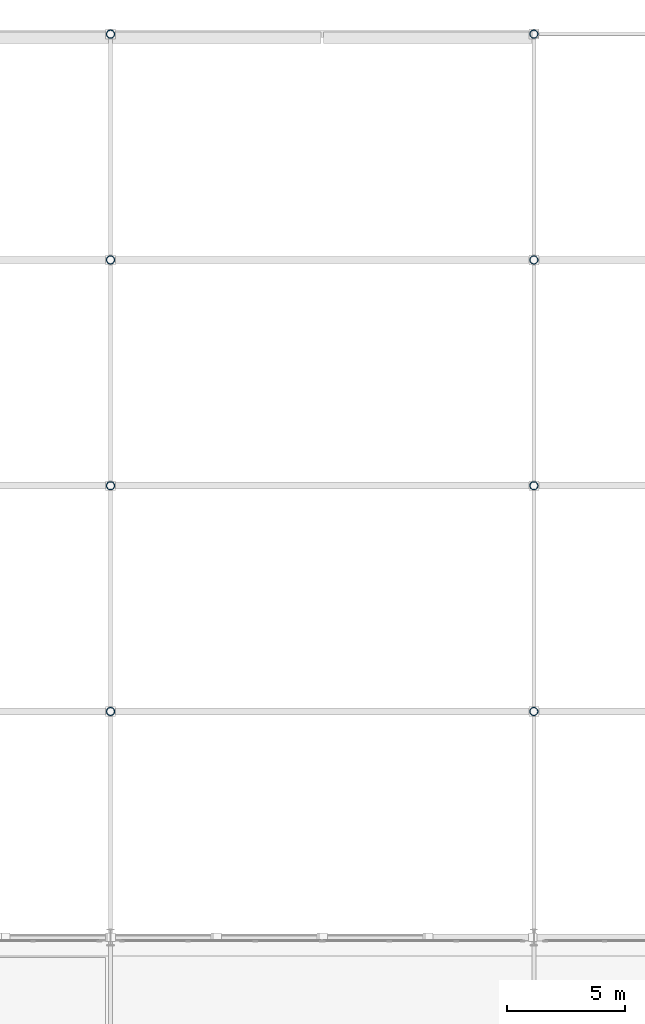
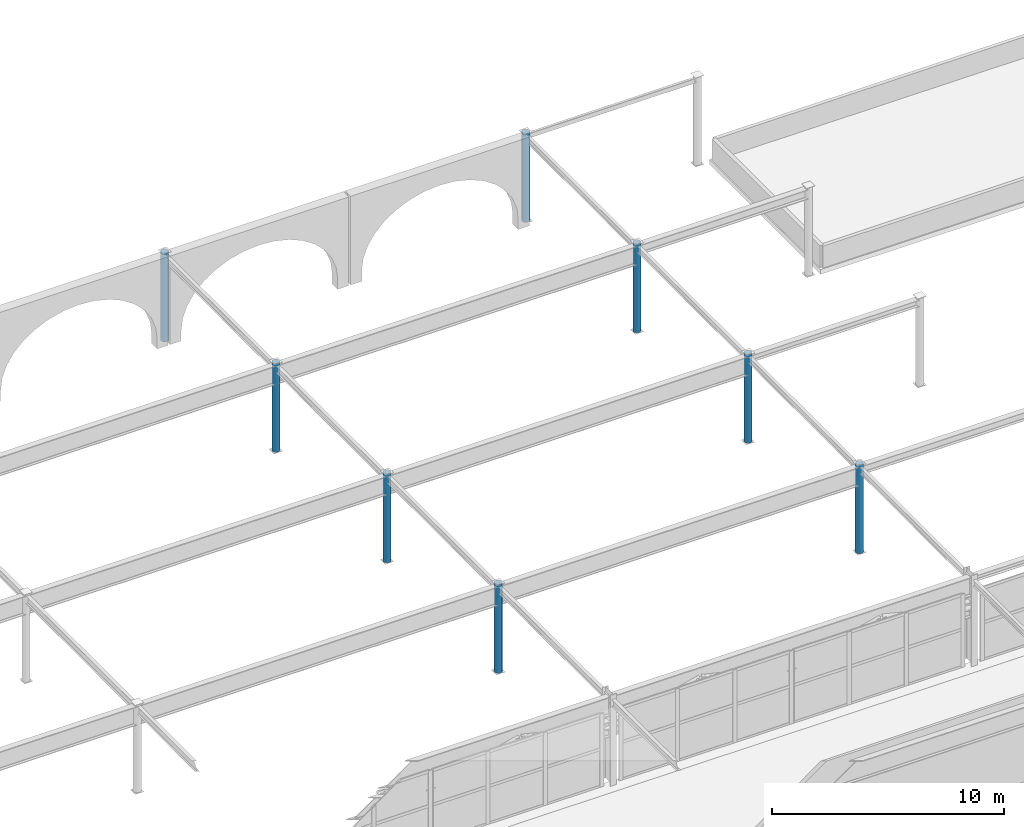
# One storey, part 12 of 125: 8 columns.
"""IFC4 building model written with IfcOpenShell, lengths in metres."""

from ifc_helpers import new_model, si_unit, direction, frame, origin, origin_2d, place, context, subcontext, project, spatial, hollow_circle, extrude, material, material_profile, profile_set, type_object, element, save


model = new_model("IFC4")

# Units and contexts
model_context = context("Model", 3, precision=1e-05, world=origin(), true_north=direction((0.0, 1.0)))
body_context = subcontext(model_context, "Body", "Model", "MODEL_VIEW")
ifc_project = project(units=[si_unit("LENGTHUNIT", "METRE"), si_unit("AREAUNIT", "SQUARE_METRE"), si_unit("VOLUMEUNIT", "CUBIC_METRE"), si_unit("PLANEANGLEUNIT", "RADIAN"), si_unit("MASSUNIT", "GRAM", prefix="KILO")], contexts=[model_context])

# Site, building, storey
site_placement = place(None, origin())
site = spatial("IfcSite", under=ifc_project, at=site_placement, CompositionType="ELEMENT")
building_placement = place(site_placement, origin())
building = spatial("IfcBuilding", under=site, at=building_placement, Name="Myrtia Square Station", CompositionType="ELEMENT")
storey_placement = place(building_placement, frame((0.0, 0.0, 6.0)))
storey = spatial("IfcBuildingStorey", under=building, at=storey_placement, Name="L01", CompositionType="ELEMENT", Elevation=6.0)

# Columns
ifc_material = material(Name="Steel S355", Category="steel")
ifc_material_profile = material_profile(ifc_material, hollow_circle(Radius=0.177734375, WallThickness=0.02001953125, at=origin_2d()), Name="CHS 355.6x20")
ifc_profile_set = profile_set([ifc_material_profile], Name="Steel S355")
column_type = type_object("IfcColumnType", Name="COL-CHS355", PredefinedType="COLUMN", material=ifc_profile_set)
for number, where, z_axis, x_axis, name in (
    (1, (45.0, 96.0, 0.0), (0.0, 0.0, 1.0), (1.0, 0.0, 0.0), "Column L01-0147"),
    (2, (45.0, 105.60009765625, 0.0), (0.0, 0.0, 1.0), (1.0, 0.0, 0.0), "Column L01-0150"),
    (3, (45.0, 115.199951171875, 0.0), (0.0, 0.0, 1.0), (1.0, 0.0, 0.0), "Column L01-0153"),
    (4, (45.0, 124.800048828125, 0.0), (0.0, 0.0, 1.0), (1.0, 0.0, 0.0), "Column L01-0156"),
    (5, (63.0, 96.0, 0.0), (0.0, 0.0, 1.0), (1.0, 0.0, 0.0), "Column L01-0189"),
    (6, (63.0, 105.60009765625, 0.0), (0.0, 0.0, 1.0), (1.0, 0.0, 0.0), "Column L01-0192"),
    (7, (63.0, 115.199951171875, 0.0), (0.0, 0.0, 1.0), (1.0, 0.0, 0.0), "Column L01-0195"),
    (8, (63.0, 124.800048828125, 0.0), (0.0, 0.0, 1.0), (1.0, 0.0, 0.0), "Column L01-0198"),
):
    element("IfcColumn", number, at=place(storey_placement, frame(where, z_axis=z_axis, x_axis=x_axis)), inside=storey, type_object=column_type, Name=name, PredefinedType="COLUMN", context=body_context, shape_type="SweptSolid", body=[
        extrude(hollow_circle(Radius=0.177734375, WallThickness=0.02001953125, at=origin_2d()), origin(), (0.0, 0.0, 1.0), 4.679931640625),
    ])

save(model, "model.ifc")
